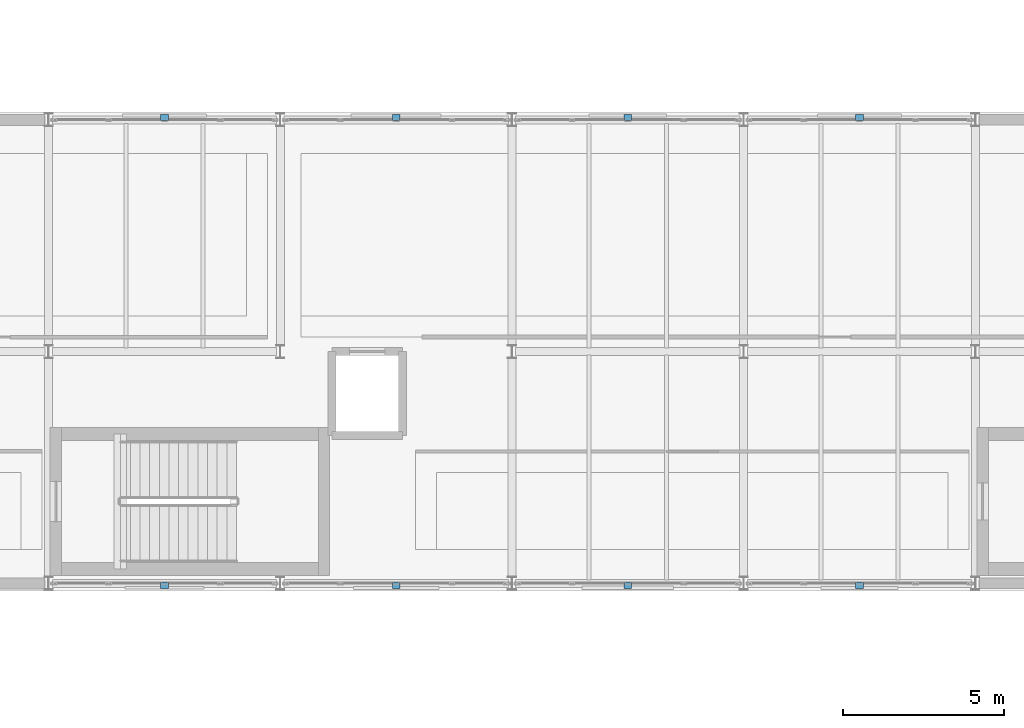
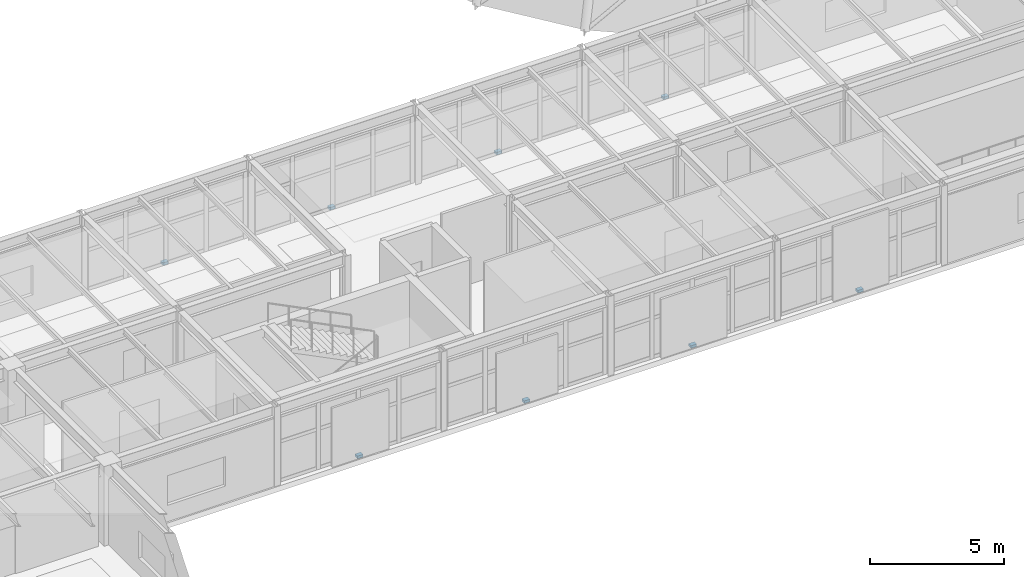
# One storey, part 37 of 48: 8 discrete accessories.
"""IFC4 building model written with IfcOpenShell, lengths in metres."""

from ifc_helpers import new_model, si_unit, direction, frame, origin, origin_2d, place, context, subcontext, project, spatial, rectangle, extrude, material, type_object, element, save


model = new_model("IFC4")

# Units and contexts
model_context = context("Model", 3, precision=1e-05, world=origin(), true_north=direction((0.0, 1.0)))
body_context = subcontext(model_context, "Body", "Model", "MODEL_VIEW")
ifc_project = project(units=[si_unit("LENGTHUNIT", "METRE"), si_unit("AREAUNIT", "SQUARE_METRE"), si_unit("VOLUMEUNIT", "CUBIC_METRE"), si_unit("PLANEANGLEUNIT", "RADIAN"), si_unit("MASSUNIT", "GRAM", prefix="KILO")], contexts=[model_context])

# Site, building, storey
site_placement = place(None, origin())
site = spatial("IfcSite", under=ifc_project, at=site_placement, CompositionType="ELEMENT")
building_placement = place(site_placement, origin())
building = spatial("IfcBuilding", under=site, at=building_placement, Name="Kandorven Conservatory and Botanical Research Centre", CompositionType="ELEMENT")
storey_placement = place(building_placement, frame((0.0, 0.0, 13.199951171875)))
storey = spatial("IfcBuildingStorey", under=building, at=storey_placement, Name="L03", CompositionType="ELEMENT", Elevation=13.199951171875)

# Discrete accessories
ifc_material = material(Name="Steel S355 (IS 2062 E350)", Category="steel")
discrete_accessory_type = type_object("IfcDiscreteAccessoryType", Name="JaliBracket", PredefinedType="BRACKET", material=ifc_material)
for number, where, z_axis, x_axis, name in (
    (1, (52.800048828125, 13.1298828125, -0.010009765625), (0.0, 0.0, 1.0), (1.0, 0.0, 0.0), "Stainless steel jali support bracket BRK-01 #17"),
    (2, (60.0, 13.1298828125, -0.010009765625), (0.0, 0.0, 1.0), (1.0, 0.0, 0.0), "Stainless steel jali support bracket BRK-01 #18"),
    (3, (67.199951171875, 13.1298828125, -0.010009765625), (0.0, 0.0, 1.0), (1.0, 0.0, 0.0), "Stainless steel jali support bracket BRK-01 #19"),
    (4, (74.39990234375, 13.1298828125, -0.010009765625), (0.0, 0.0, 1.0), (1.0, 0.0, 0.0), "Stainless steel jali support bracket BRK-01 #20"),
    (5, (52.800048828125, 27.669921875, -0.010009765625), (0.0, 0.0, 1.0), (1.0, 0.0, 0.0), "Stainless steel jali support bracket BRK-01 #21"),
    (6, (60.0, 27.669921875, -0.010009765625), (0.0, 0.0, 1.0), (1.0, 0.0, 0.0), "Stainless steel jali support bracket BRK-01 #22"),
    (7, (67.199951171875, 27.669921875, -0.010009765625), (0.0, 0.0, 1.0), (1.0, 0.0, 0.0), "Stainless steel jali support bracket BRK-01 #23"),
    (8, (74.39990234375, 27.669921875, -0.010009765625), (0.0, 0.0, 1.0), (1.0, 0.0, 0.0), "Stainless steel jali support bracket BRK-01 #24"),
):
    element("IfcDiscreteAccessory", number, at=place(storey_placement, frame(where, z_axis=z_axis, x_axis=x_axis)), inside=storey, type_object=discrete_accessory_type, Name=name, PredefinedType="BRACKET", context=body_context, shape_type="SweptSolid", body=[
        extrude(rectangle(XDim=0.239990234375, YDim=0.179931640625, at=origin_2d()), origin(), (0.0, 0.0, 1.0), 0.1201171875),
    ])

save(model, "model.ifc")
